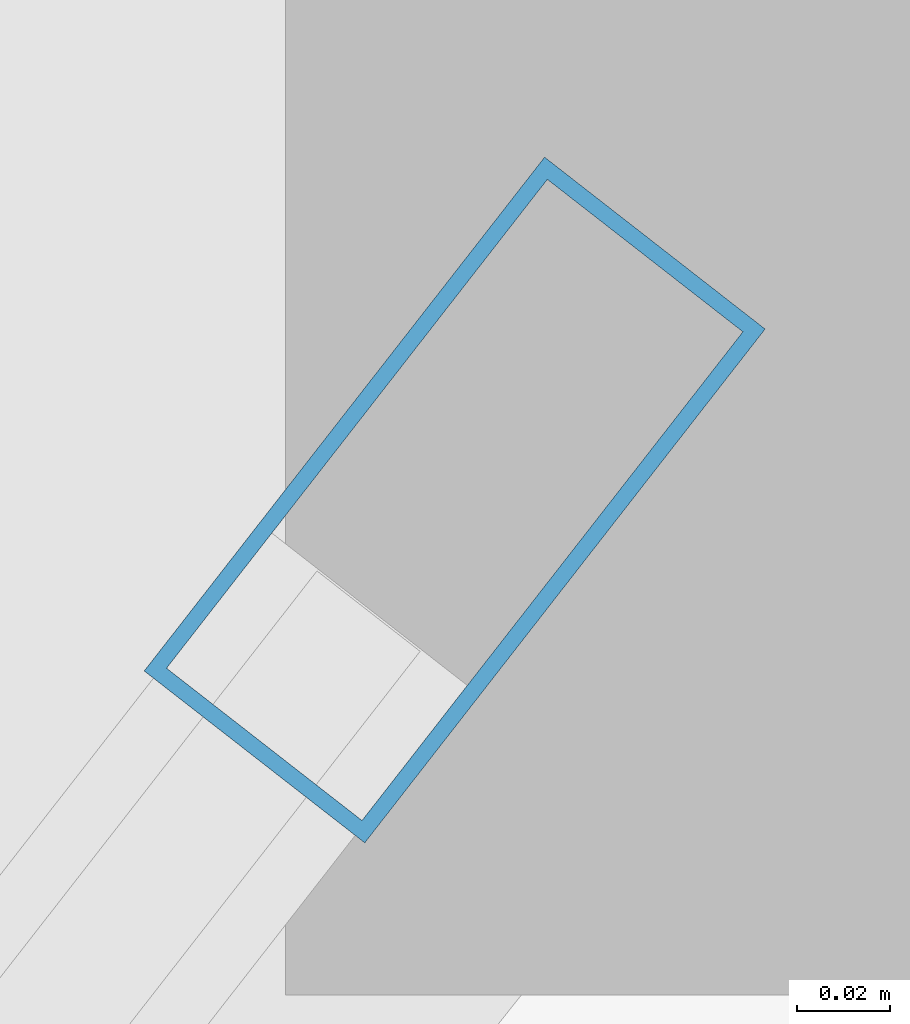
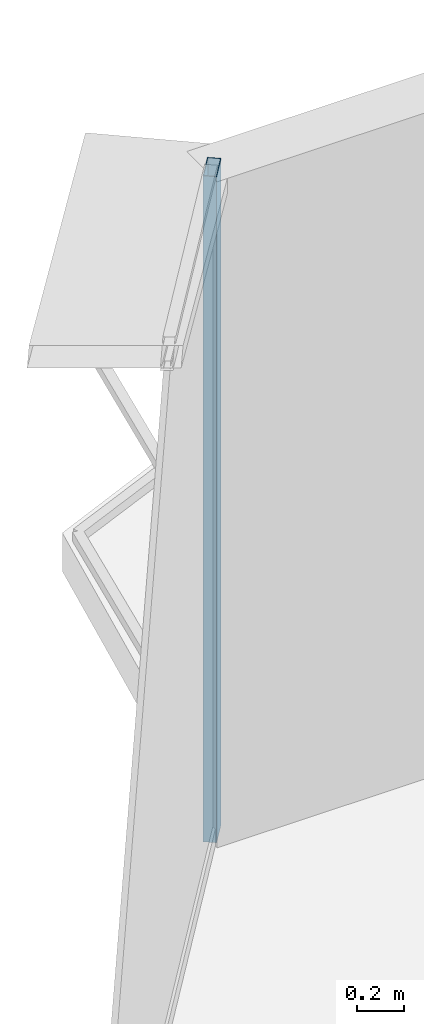
# One storey, part 22 of 39: 1 member, 1 element without a shape of its own.
"""IFC4 building model written with IfcOpenShell, lengths in metres."""

from ifc_helpers import new_model, si_unit, direction, frame, origin, origin_2d, place, context, subcontext, project, spatial, hollow_rectangle, extrude, source, transform, mapped, material, layer, layer_set, material_profile, profile_set, type_object, element, aggregate, save


model = new_model("IFC4")

# Units and contexts
model_context = context("Model", 3, precision=1e-05, world=origin(), true_north=direction((0.0, 1.0)))
body_context = subcontext(model_context, "Body", "Model", "MODEL_VIEW")
ifc_project = project(units=[si_unit("LENGTHUNIT", "METRE"), si_unit("AREAUNIT", "SQUARE_METRE"), si_unit("VOLUMEUNIT", "CUBIC_METRE"), si_unit("PLANEANGLEUNIT", "RADIAN"), si_unit("MASSUNIT", "GRAM", prefix="KILO"), si_unit("THERMODYNAMICTEMPERATUREUNIT", "KELVIN"), si_unit("POWERUNIT", "WATT")], contexts=[model_context])

# Site, building, storey
site_placement = place(None, origin())
site = spatial("IfcSite", under=ifc_project, at=site_placement, CompositionType="ELEMENT")
building_placement = place(site_placement, origin())
building = spatial("IfcBuilding", under=site, at=building_placement, Name="Yunzhuo Pagoda Commons", CompositionType="ELEMENT")
storey_placement = place(building_placement, frame((0.0, 0.0, 285.02001953125)))
storey = spatial("IfcBuildingStorey", under=building, at=storey_placement, Name="L71", CompositionType="ELEMENT", Elevation=285.02001953125)

# Curtain wall, member
ifc_material = material(Name="Anodized aluminium 6063-T6", Category="aluminium")
ifc_layer = layer(ifc_material, 0.139892578125)
ifc_layer_set = layer_set([ifc_layer], Name="Anodized aluminium 6063-T6")
curtain_wall_type = type_object("IfcCurtainWallType", Name="CW-HI High-Zone Ribbon Curtain Wall", PredefinedType="NOTDEFINED", material=ifc_layer_set)
curtain_wall_placement = place(storey_placement, origin())
curtain_wall = element("IfcCurtainWall", 1, at=curtain_wall_placement, inside=storey, type_object=curtain_wall_type, Name="L71 curtain wall CW-L71-F3B1", PredefinedType="NOTDEFINED")
ifc_material_profile = material_profile(ifc_material, hollow_rectangle(XDim=0.06005859375, YDim=0.139892578125, WallThickness=0.00341796875, at=origin_2d()), Name="Anodized aluminium 6063-T6")
ifc_profile_set = profile_set([ifc_material_profile], Name="Anodized aluminium 6063-T6")
member_type = type_object("IfcMemberType", Name="CW-HI-M Mullion RHS 140x60x3.5", PredefinedType="MULLION", material=ifc_profile_set)
shared_shape = source(origin(), body_context, "Body", "SweptSolid", [
    extrude(hollow_rectangle(XDim=0.06005859375, YDim=0.139892578125, WallThickness=0.00341796875, at=origin_2d()), origin(), (0.0, 0.0, 1.0), 3.4697265625),
])
member_placement = place(storey_placement, frame((44.404296875, 76.769287109375, 0.000244140625), z_axis=(0.0, 0.0, 1.0), x_axis=(0.78878314481, -0.614671579353, 0.0)))
member = element("IfcMember", 2, at=member_placement, type_object=member_type, Name="CW mullion 1", PredefinedType="MULLION", context=body_context, shape_type="MappedRepresentation", body=[
    mapped(shared_shape, transform((0.0, 0.0, 0.0), scale=1.0)),
])
aggregate(curtain_wall, [member])

save(model, "model.ifc")
